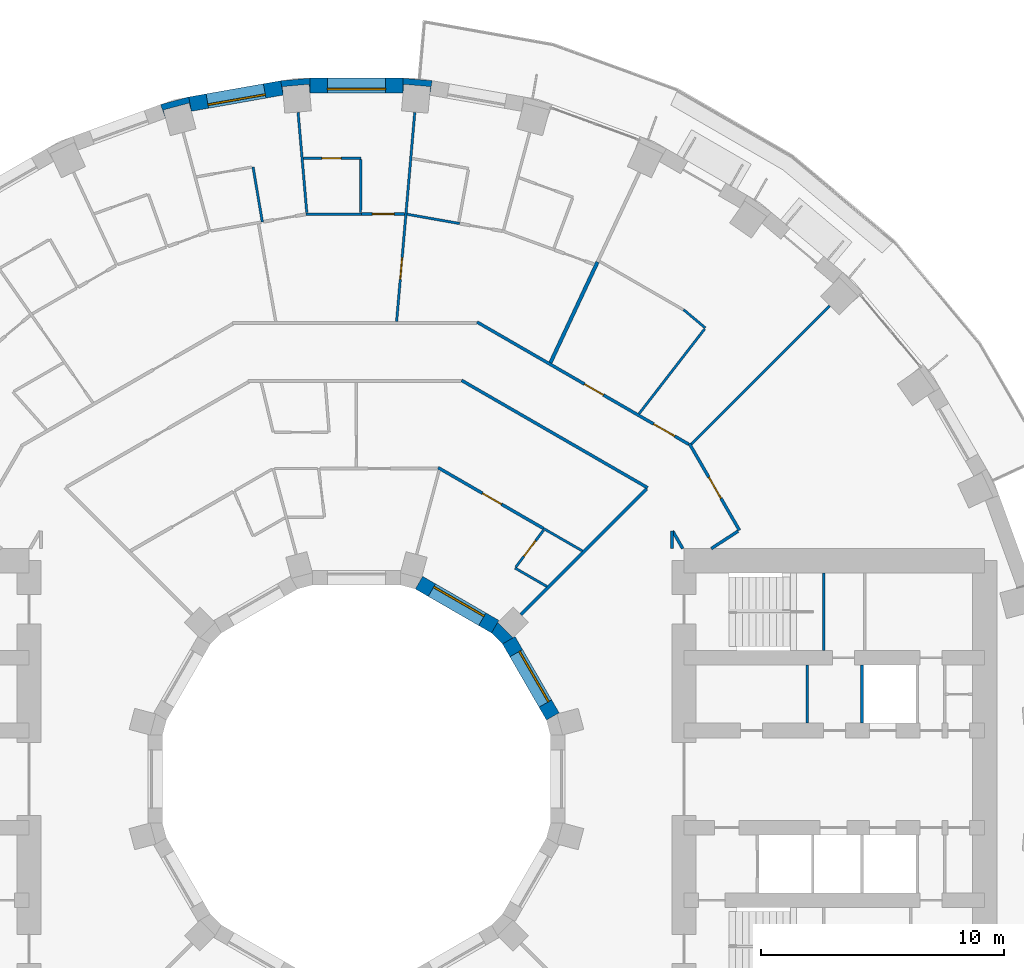
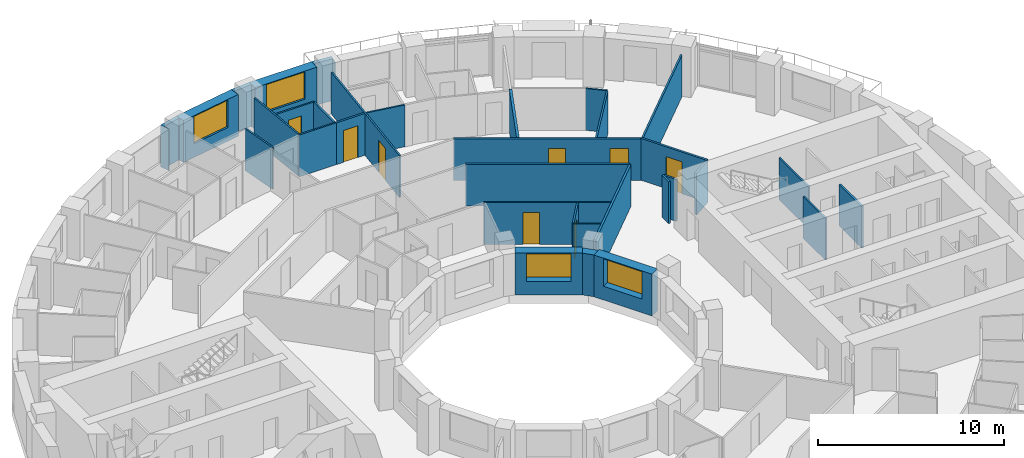
# One storey, part 12 of 15: 34 walls, 8 doors, 4 windows, 12 openings.
"""IFC4 building model written with IfcOpenShell, lengths in metres."""

from ifc_helpers import new_model, si_unit, direction, frame, frame_2d, origin, place, context, subcontext, project, spatial, polyline, rectangle, outline, extrude, material, layer, layer_set, type_object, element, fill, save


model = new_model("IFC4")

# Units and contexts
model_context = context("Model", 3, precision=1e-05, world=origin(), true_north=direction((0.0, 1.0)))
body_context = subcontext(model_context, "Body", "Model", "MODEL_VIEW")
ifc_project = project(units=[si_unit("LENGTHUNIT", "METRE"), si_unit("AREAUNIT", "SQUARE_METRE"), si_unit("VOLUMEUNIT", "CUBIC_METRE"), si_unit("PLANEANGLEUNIT", "RADIAN"), si_unit("MASSUNIT", "GRAM", prefix="KILO")], contexts=[model_context])

# Site, building, storey
site_placement = place(None, origin())
site = spatial("IfcSite", under=ifc_project, at=site_placement, CompositionType="ELEMENT")
building_placement = place(site_placement, origin())
building = spatial("IfcBuilding", under=site, at=building_placement, Name="Saqina Gate Tower", CompositionType="ELEMENT")
storey_placement = place(building_placement, frame((0.0, 0.0, 65.89990234375)))
storey = spatial("IfcBuildingStorey", under=building, at=storey_placement, Name="L18", CompositionType="ELEMENT", Elevation=65.89990234375)

# Walls
ifc_material_1 = material(Name="Brick masonry (red)", Category="masonry")
wall_type_1 = type_object("IfcWallType", Name="BRICK PIER COPING RED", PredefinedType="SOLIDWALL", material=ifc_material_1)
wall_1_placement = place(storey_placement, origin())
element("IfcWall", 1, at=wall_1_placement, inside=storey, type_object=wall_type_1, Name="Pier cap L18 column 9", PredefinedType="SOLIDWALL", context=body_context, shape_type="SweptSolid", body=[
    extrude(outline(polyline([(3.122802734375, 28.78466796875), (1.9228515625, 28.8896484375), (1.9228515625, 28.28955078125), (1.95361328125, 28.638671875), (3.04931640625, 28.54296875), (3.018798828125, 28.19384765625), (3.122802734375, 28.78466796875)])), origin(), (0.0, 0.0, 1.0), 2.75),
])
wall_2_placement = place(storey_placement, origin())
element("IfcWall", 2, at=wall_2_placement, inside=storey, type_object=wall_type_1, Name="Pier cap L18 column 10", PredefinedType="SOLIDWALL", context=body_context, shape_type="SweptSolid", body=[
    extrude(outline(polyline([(-1.9228515625, 28.8896484375), (-3.122802734375, 28.78466796875), (-3.018798828125, 28.19384765625), (-3.04931640625, 28.54296875), (-1.95361328125, 28.638671875), (-1.9228515625, 28.28955078125), (-1.9228515625, 28.8896484375)])), origin(), (0.0, 0.0, 1.0), 2.75),
])
wall_3_placement = place(storey_placement, origin())
element("IfcWall", 3, at=wall_3_placement, inside=storey, type_object=wall_type_1, Name="Pier cap L18 column 11", PredefinedType="SOLIDWALL", context=body_context, shape_type="SweptSolid", body=[
    extrude(outline(polyline([(-6.910400390625, 28.11669921875), (-8.073974609375, 27.80517578125), (-7.86865234375, 27.2412109375), (-7.95947265625, 27.57958984375), (-6.896728515625, 27.864501953125), (-6.80615234375, 27.52587890625), (-6.910400390625, 28.11669921875)])), origin(), (0.0, 0.0, 1.0), 2.75),
])
ifc_material_2 = material(Name="Gypsum board on steel studs", Category="steel")
ifc_layer_1 = layer(ifc_material_2, 0.10009765625)
ifc_layer_set_1 = layer_set([ifc_layer_1], Name="CORE PARTITION")
wall_type_2 = type_object("IfcWallType", Name="CORE PARTITION", PredefinedType="PARTITIONING", material=ifc_layer_set_1)
wall_4_placement = place(storey_placement, frame((18.582763671875, 2.300048828125, 0.0), z_axis=(0.0, 0.0, 1.0), x_axis=(0.0, 1.0, 0.0)))
element("IfcWall", 4, at=wall_4_placement, inside=storey, type_object=wall_type_2, Name="L18-CP-E01", PredefinedType="PARTITIONING", context=body_context, shape_type="SweptSolid", body=[
    extrude(rectangle(XDim=2.39990234375, YDim=0.10009765625, at=frame_2d((1.199951171875, 0.0))), origin(), (0.0, 0.0, 1.0), 2.75),
])

# Wall, opening, window
ifc_material_3 = material(Name="Brick masonry (red)", Category="masonry")
ifc_layer_2 = layer(ifc_material_3, 0.60009765625)
ifc_layer_set_2 = layer_set([ifc_layer_2], Name="FW-BRICK-RED")
wall_type_3 = type_object("IfcWallType", Name="FW-BRICK-RED", PredefinedType="SOLIDWALL", material=ifc_layer_set_2)
wall_5_placement = place(storey_placement, frame((1.9228515625, 28.589599609375, 0.0), z_axis=(0.0, 0.0, 1.0), x_axis=(-1.0, 0.0, 0.0)))
wall_5 = element("IfcWall", 5, at=wall_5_placement, inside=storey, type_object=wall_type_3, Name="Facade wall L18 facet 9", PredefinedType="SOLIDWALL", context=body_context, shape_type="SweptSolid", body=[
    extrude(rectangle(XDim=3.845703125, YDim=0.60009765625, at=frame_2d((1.9228515625, 0.0))), origin(), (0.0, 0.0, 1.0), 2.75),
])
opening_1_placement = place(wall_5_placement, frame((0.722900390625, 0.0, 0.89990234375)))
opening_1 = element("IfcOpeningElement", 6, at=opening_1_placement, cuts=wall_5, Name="Opening G05-W03", PredefinedType="OPENING", context=body_context, shape_type="SweptSolid", body=[
    extrude(rectangle(XDim=2.39990234375, YDim=1.800048828125, at=frame_2d((1.199951171875, 0.89990234375))), frame((0.0, 0.31201171875, 0.0), z_axis=(0.0, -1.0, 0.0), x_axis=(1.0, 0.0, 0.0)), (0.0, 0.0, 1.0), 0.6240234375),
])
ifc_material_4 = material(Name="Aluminium glazing", Category="aluminium")
window_type_1 = type_object("IfcWindowType", Name="WN-A", PartitioningType="SINGLE_PANEL", PredefinedType="WINDOW", material=ifc_material_4)
window_1_placement = place(opening_1_placement, origin())
window_1 = element("IfcWindow", 7, at=window_1_placement, inside=storey, type_object=window_type_1, Name="Window L18 facet 9", OverallHeight=1.800048828125, OverallWidth=2.39990234375, PartitioningType="SINGLE_PANEL", PredefinedType="WINDOW", context=body_context, shape_type="SweptSolid", body=[
    extrude(rectangle(XDim=2.39990234375, YDim=1.800048828125, at=frame_2d((1.199951171875, 0.89990234375))), frame((0.0, 0.179931640625, 0.0), z_axis=(0.0, -1.0, 0.0), x_axis=(1.0, 0.0, 0.0)), (0.0, 0.0, 1.0), 0.06005859375),
])
fill(opening_1, window_1)

wall_6_placement = place(storey_placement, frame((-3.07080078125, 28.4892578125, 0.0), z_axis=(0.0, 0.0, 1.0), x_axis=(-0.984800809218, -0.173687553279, 0.0)))
wall_6 = element("IfcWall", 8, at=wall_6_placement, inside=storey, type_object=wall_type_3, Name="Facade wall L18 facet 10", PredefinedType="SOLIDWALL", context=body_context, shape_type="SweptSolid", body=[
    extrude(rectangle(XDim=3.845703125, YDim=0.60009765625, at=frame_2d((1.9228515625, 0.0))), origin(), (0.0, 0.0, 1.0), 2.75),
])
opening_2_placement = place(wall_6_placement, frame((0.722900390625, 0.0, 0.89990234375)))
opening_2 = element("IfcOpeningElement", 9, at=opening_2_placement, cuts=wall_6, Name="Opening G05-W04", PredefinedType="OPENING", context=body_context, shape_type="SweptSolid", body=[
    extrude(rectangle(XDim=2.39990234375, YDim=1.800048828125, at=frame_2d((1.199951171875, 0.89990234375))), frame((0.0, 0.31201171875, 0.0), z_axis=(0.0, -1.0, 0.0), x_axis=(1.0, 0.0, 0.0)), (0.0, 0.0, 1.0), 0.6240234375),
])
window_2_placement = place(opening_2_placement, origin())
window_2 = element("IfcWindow", 10, at=window_2_placement, inside=storey, type_object=window_type_1, Name="Window L18 facet 10", OverallHeight=1.800048828125, OverallWidth=2.39990234375, PartitioningType="SINGLE_PANEL", PredefinedType="WINDOW", context=body_context, shape_type="SweptSolid", body=[
    extrude(rectangle(XDim=2.39990234375, YDim=1.800048828125, at=frame_2d((1.199951171875, 0.89990234375))), frame((0.0, 0.179931640625, 0.0), z_axis=(0.0, -1.0, 0.0), x_axis=(1.0, 0.0, 0.0)), (0.0, 0.0, 1.0), 0.06005859375),
])
fill(opening_2, window_2)

ifc_material_5 = material(Name="Glazed ceramic tile", Category="ceramic")
ifc_layer_3 = layer(ifc_material_5, 0.60009765625)
ifc_layer_set_3 = layer_set([ifc_layer_3], Name="IW-TILE")
wall_type_4 = type_object("IfcWallType", Name="IW-TILE", PredefinedType="SOLIDWALL", material=ifc_layer_set_3)
wall_7_placement = place(storey_placement, frame((8.09423828125, 2.580322265625, 0.0), z_axis=(0.0, 0.0, 1.0), x_axis=(-0.499992569217, 0.866029693906, 0.0)))
wall_7 = element("IfcWall", 11, at=wall_7_placement, inside=storey, type_object=wall_type_4, Name="Well wall L18 facet 1", PredefinedType="SOLIDWALL", context=body_context, shape_type="SweptSolid", body=[
    extrude(rectangle(XDim=3.625, YDim=0.60009765625, at=frame_2d((1.8125, 0.0))), origin(), (0.0, 0.0, 1.0), 2.75),
])
opening_3_placement = place(wall_7_placement, frame((0.612548828125, 0.0, 0.89990234375)))
opening_3 = element("IfcOpeningElement", 12, at=opening_3_placement, cuts=wall_7, Name="Opening G05-W23", PredefinedType="OPENING", context=body_context, shape_type="SweptSolid", body=[
    extrude(rectangle(XDim=2.39990234375, YDim=1.800048828125, at=frame_2d((1.199951171875, 0.89990234375))), frame((0.0, 0.31201171875, 0.0), z_axis=(0.0, -1.0, 0.0), x_axis=(1.0, 0.0, 0.0)), (0.0, 0.0, 1.0), 0.6240234375),
])
ifc_material_6 = material(Name="Aluminium glazing", Category="aluminium")
window_type_2 = type_object("IfcWindowType", Name="WN-W", PartitioningType="SINGLE_PANEL", PredefinedType="WINDOW", material=ifc_material_6)
window_3_placement = place(opening_3_placement, origin())
window_3 = element("IfcWindow", 13, at=window_3_placement, inside=storey, type_object=window_type_2, Name="Well window L18 facet 1", OverallHeight=1.800048828125, OverallWidth=2.39990234375, PartitioningType="SINGLE_PANEL", PredefinedType="WINDOW", context=body_context, shape_type="SweptSolid", body=[
    extrude(rectangle(XDim=2.39990234375, YDim=1.800048828125, at=frame_2d((1.199951171875, 0.89990234375))), frame((0.0, -0.119873046875, 0.0), z_axis=(0.0, -1.0, 0.0), x_axis=(1.0, 0.0, 0.0)), (0.0, 0.0, 1.0), 0.06005859375),
])
fill(opening_3, window_3)

wall_8_placement = place(storey_placement, frame((5.7197265625, 6.28173828125, 0.0), z_axis=(0.0, 0.0, 1.0), x_axis=(-0.866029693906, 0.499992569217, 0.0)))
wall_8 = element("IfcWall", 14, at=wall_8_placement, inside=storey, type_object=wall_type_4, Name="Well wall L18 facet 2", PredefinedType="SOLIDWALL", context=body_context, shape_type="SweptSolid", body=[
    extrude(rectangle(XDim=3.625, YDim=0.60009765625, at=frame_2d((1.8125, 0.0))), origin(), (0.0, 0.0, 1.0), 2.75),
])
opening_4_placement = place(wall_8_placement, frame((0.612548828125, 0.0, 0.89990234375)))
opening_4 = element("IfcOpeningElement", 15, at=opening_4_placement, cuts=wall_8, Name="Opening G05-W24", PredefinedType="OPENING", context=body_context, shape_type="SweptSolid", body=[
    extrude(rectangle(XDim=2.39990234375, YDim=1.800048828125, at=frame_2d((1.199951171875, 0.89990234375))), frame((0.0, 0.31201171875, 0.0), z_axis=(0.0, -1.0, 0.0), x_axis=(1.0, 0.0, 0.0)), (0.0, 0.0, 1.0), 0.6240234375),
])
window_4_placement = place(opening_4_placement, origin())
window_4 = element("IfcWindow", 16, at=window_4_placement, inside=storey, type_object=window_type_2, Name="Well window L18 facet 2", OverallHeight=1.800048828125, OverallWidth=2.39990234375, PartitioningType="SINGLE_PANEL", PredefinedType="WINDOW", context=body_context, shape_type="SweptSolid", body=[
    extrude(rectangle(XDim=2.39990234375, YDim=1.800048828125, at=frame_2d((1.199951171875, 0.89990234375))), frame((0.0, -0.119873046875, 0.0), z_axis=(0.0, -1.0, 0.0), x_axis=(1.0, 0.0, 0.0)), (0.0, 0.0, 1.0), 0.06005859375),
])
fill(opening_4, window_4)

# Walls
ifc_material_7 = material(Name="Gypsum board on steel studs, 100 mm", Category="steel")
ifc_layer_4 = layer(ifc_material_7, 0.10009765625)
ifc_layer_set_4 = layer_set([ifc_layer_4], Name="PARTITION 100")
wall_type_5 = type_object("IfcWallType", Name="PARTITION 100", PredefinedType="PARTITIONING", material=ifc_layer_set_4)
wall_9_placement = place(storey_placement, frame((-2.405029296875, 27.48486328125, 0.0), z_axis=(0.0, 0.0, 1.0), x_axis=(0.086512794622, -0.996250739707, 0.0)))
element("IfcWall", 17, at=wall_9_placement, inside=storey, type_object=wall_type_5, Name="PARTITION PW3-04", PredefinedType="PARTITIONING", context=body_context, shape_type="SweptSolid", body=[
    extrude(rectangle(XDim=4.1484375, YDim=0.10009765625, at=frame_2d((2.07421875, 0.0))), origin(), (0.0, 0.0, 1.0), 2.75),
])
wall_10_placement = place(storey_placement, frame((-4.261962890625, 25.23291015625, 0.0), z_axis=(0.0, 0.0, 1.0), x_axis=(0.166550297596, -0.986032960083, 0.0)))
element("IfcWall", 18, at=wall_10_placement, inside=storey, type_object=wall_type_5, Name="PARTITION PW3-08", PredefinedType="PARTITIONING", context=body_context, shape_type="SweptSolid", body=[
    extrude(rectangle(XDim=2.300048828125, YDim=0.10009765625, at=frame_2d((1.14990234375, 0.0))), origin(), (0.0, 0.0, 1.0), 2.75),
])
wall_11_placement = place(storey_placement, frame((13.48681640625, 19.348876953125, 0.0), z_axis=(0.0, 0.0, 1.0), x_axis=(0.765126879229, -0.643879537399, 0.0)))
element("IfcWall", 19, at=wall_11_placement, inside=storey, type_object=wall_type_5, Name="PARTITION PW3-35", PredefinedType="PARTITIONING", context=body_context, shape_type="SweptSolid", body=[
    extrude(rectangle(XDim=1.173828125, YDim=0.10009765625, at=frame_2d((0.5869140625, 0.0))), origin(), (0.0, 0.0, 1.0), 2.75),
])
wall_12_placement = place(storey_placement, frame((6.5390625, 8.696044921875, 0.0), z_axis=(0.0, 0.0, 1.0), x_axis=(0.86577516296, -0.500433179557, 0.0)))
element("IfcWall", 20, at=wall_12_placement, inside=storey, type_object=wall_type_5, Name="PARTITION PW3-45", PredefinedType="PARTITIONING", context=body_context, shape_type="SweptSolid", body=[
    extrude(rectangle(XDim=1.516357421875, YDim=0.10009765625, at=frame_2d((0.75830078125, 0.0))), origin(), (0.0, 0.0, 1.0), 2.75),
])
wall_13_placement = place(storey_placement, frame((7.706787109375, 10.3310546875, 0.0), z_axis=(0.0, 0.0, 1.0), x_axis=(0.865872660715, -0.500264465484, 0.0)))
element("IfcWall", 21, at=wall_13_placement, inside=storey, type_object=wall_type_5, Name="PARTITION PW3-46", PredefinedType="PARTITIONING", context=body_context, shape_type="SweptSolid", body=[
    extrude(rectangle(XDim=1.8583984375, YDim=0.10009765625, at=frame_2d((0.92919921875, 0.0))), origin(), (0.0, 0.0, 1.0), 2.75),
])
wall_14_placement = place(storey_placement, frame((2.087158203125, 23.28125, 0.0), z_axis=(0.0, 0.0, 1.0), x_axis=(0.984790246942, -0.173747430277, 0.0)))
element("IfcWall", 22, at=wall_14_placement, inside=storey, type_object=wall_type_5, Name="PARTITION PW3-56", PredefinedType="PARTITIONING", context=body_context, shape_type="SweptSolid", body=[
    extrude(rectangle(XDim=2.20458984375, YDim=0.10009765625, at=frame_2d((1.102294921875, 0.0))), origin(), (0.0, 0.0, 1.0), 2.75),
])
wall_15_placement = place(storey_placement, frame((-2.0888671875, 23.2900390625, 0.0), z_axis=(0.0, 0.0, 1.0), x_axis=(1.0, 0.0, 0.0)))
element("IfcWall", 23, at=wall_15_placement, inside=storey, type_object=wall_type_5, Name="PARTITION PW3-65", PredefinedType="PARTITIONING", context=body_context, shape_type="SweptSolid", body=[
    extrude(rectangle(XDim=2.306884765625, YDim=0.10009765625, at=frame_2d((1.1533203125, 0.0))), origin(), (0.0, 0.0, 1.0), 2.75),
])

# Wall, opening, door
wall_16_placement = place(storey_placement, frame((-2.18896484375, 25.590087890625, 0.0), z_axis=(0.0, 0.0, 1.0), x_axis=(1.0, 0.0, 0.0)))
wall_16 = element("IfcWall", 24, at=wall_16_placement, inside=storey, type_object=wall_type_5, Name="PARTITION PW3-66", PredefinedType="PARTITIONING", context=body_context, shape_type="SweptSolid", body=[
    extrude(rectangle(XDim=2.373046875, YDim=0.10009765625, at=frame_2d((1.1865234375, 0.0))), origin(), (0.0, 0.0, 1.0), 2.75),
])
opening_5_placement = place(wall_16_placement, frame((0.761474609375, 0.0, 0.0)))
opening_5 = element("IfcOpeningElement", 25, at=opening_5_placement, cuts=wall_16, Name="Opening G05-D14", PredefinedType="OPENING", context=body_context, shape_type="SweptSolid", body=[
    extrude(rectangle(XDim=0.800048828125, YDim=2.10009765625, at=frame_2d((0.39990234375, 1.050048828125))), frame((0.0, 0.06201171875, 0.0), z_axis=(0.0, -1.0, 0.0), x_axis=(1.0, 0.0, 0.0)), (0.0, 0.0, 1.0), 0.1240234375),
])
ifc_material_8 = material(Name="Timber door leaf, 800 mm", Category="wood")
door_type_1 = type_object("IfcDoorType", Name="DOOR 800 TIMBER", OperationType="SINGLE_SWING_LEFT", PredefinedType="DOOR", material=ifc_material_8)
door_1_placement = place(opening_5_placement, origin())
door_1 = element("IfcDoor", 26, at=door_1_placement, inside=storey, type_object=door_type_1, Name="DOOR G05-D14", OperationType="SINGLE_SWING_LEFT", OverallHeight=2.10009765625, OverallWidth=0.800048828125, PredefinedType="DOOR", context=body_context, shape_type="SweptSolid", body=[
    extrude(rectangle(XDim=0.800048828125, YDim=2.10009765625, at=frame_2d((0.39990234375, 1.050048828125))), frame((0.0, 0.02490234375, 0.0), z_axis=(0.0, -1.0, 0.0), x_axis=(1.0, 0.0, 0.0)), (0.0, 0.0, 1.0), 0.050048828125),
])
fill(opening_5, door_1)

# Walls
wall_17_placement = place(storey_placement, frame((13.80712890625, 13.80712890625, 0.0), z_axis=(0.0, 0.0, 1.0), x_axis=(0.707106781187, 0.707106781187, 0.0)))
element("IfcWall", 27, at=wall_17_placement, inside=storey, type_object=wall_type_5, Name="PARTITION PW3-88", PredefinedType="PARTITIONING", context=body_context, shape_type="SweptSolid", body=[
    extrude(rectangle(XDim=8.063720703125, YDim=0.10009765625, at=frame_2d((4.03173828125, 0.0))), origin(), (0.0, 0.0, 1.0), 2.75),
])
wall_18_placement = place(storey_placement, frame((11.648193359375, 15.055419921875, 0.0), z_axis=(0.0, 0.0, 1.0), x_axis=(0.611909290422, 0.790927948865, 0.0)))
element("IfcWall", 28, at=wall_18_placement, inside=storey, type_object=wall_type_5, Name="PARTITION PW3-93", PredefinedType="PARTITIONING", context=body_context, shape_type="SweptSolid", body=[
    extrude(rectangle(XDim=4.422607421875, YDim=0.10009765625, at=frame_2d((2.21142578125, 0.0))), origin(), (0.0, 0.0, 1.0), 2.75),
])

# Wall, opening, door
wall_19_placement = place(storey_placement, frame((6.569091796875, 8.73583984375, 0.0), z_axis=(0.0, 0.0, 1.0), x_axis=(0.601046793523, 0.799213833711, 0.0)))
wall_19 = element("IfcWall", 29, at=wall_19_placement, inside=storey, type_object=wall_type_5, Name="PARTITION PW3-94", PredefinedType="PARTITIONING", context=body_context, shape_type="SweptSolid", body=[
    extrude(rectangle(XDim=1.902099609375, YDim=0.10009765625, at=frame_2d((0.951171875, 0.0))), origin(), (0.0, 0.0, 1.0), 2.75),
])
opening_6_placement = place(wall_19_placement, frame((0.557373046875, 0.0, 0.0)))
opening_6 = element("IfcOpeningElement", 30, at=opening_6_placement, cuts=wall_19, Name="Opening G05-D03", PredefinedType="OPENING", context=body_context, shape_type="SweptSolid", body=[
    extrude(rectangle(XDim=0.800048828125, YDim=2.10009765625, at=frame_2d((0.39990234375, 1.050048828125))), frame((0.0, 0.06201171875, 0.0), z_axis=(0.0, -1.0, 0.0), x_axis=(1.0, 0.0, 0.0)), (0.0, 0.0, 1.0), 0.1240234375),
])
door_2_placement = place(opening_6_placement, origin())
door_2 = element("IfcDoor", 31, at=door_2_placement, inside=storey, type_object=door_type_1, Name="DOOR G05-D03", OperationType="SINGLE_SWING_RIGHT", OverallHeight=2.10009765625, OverallWidth=0.800048828125, PredefinedType="DOOR", context=body_context, shape_type="SweptSolid", body=[
    extrude(rectangle(XDim=0.800048828125, YDim=2.10009765625, at=frame_2d((0.39990234375, 1.050048828125))), frame((0.0, 0.02490234375, 0.0), z_axis=(0.0, -1.0, 0.0), x_axis=(1.0, 0.0, 0.0)), (0.0, 0.0, 1.0), 0.050048828125),
])
fill(opening_6, door_2)

wall_20_placement = place(storey_placement, frame((1.656494140625, 18.86181640625, 0.0), z_axis=(0.0, 0.0, 1.0), x_axis=(0.086481121159, 0.996253489672, 0.0)))
wall_20 = element("IfcWall", 32, at=wall_20_placement, inside=storey, type_object=wall_type_5, Name="PARTITION PW3-111", PredefinedType="PARTITIONING", context=body_context, shape_type="SweptSolid", body=[
    extrude(rectangle(XDim=8.655517578125, YDim=0.10009765625, at=frame_2d((4.32763671875, 0.0))), origin(), (0.0, 0.0, 1.0), 2.75),
])
opening_7_placement = place(wall_20_placement, frame((1.7412109375, 0.0, 0.0)))
opening_7 = element("IfcOpeningElement", 33, at=opening_7_placement, cuts=wall_20, Name="Opening G05-D10", PredefinedType="OPENING", context=body_context, shape_type="SweptSolid", body=[
    extrude(rectangle(XDim=0.89990234375, YDim=2.10009765625, at=frame_2d((0.449951171875, 1.050048828125))), frame((0.0, 0.06201171875, 0.0), z_axis=(0.0, -1.0, 0.0), x_axis=(1.0, 0.0, 0.0)), (0.0, 0.0, 1.0), 0.1240234375),
])
ifc_material_9 = material(Name="Timber door leaf, 900 mm", Category="wood")
door_type_2 = type_object("IfcDoorType", Name="DOOR 900 TIMBER", OperationType="SINGLE_SWING_LEFT", PredefinedType="DOOR", material=ifc_material_9)
door_3_placement = place(opening_7_placement, frame((0.89990234375, 0.0, 0.0), z_axis=(0.0, 0.0, 1.0), x_axis=(-1.0, 0.0, 0.0)))
door_3 = element("IfcDoor", 34, at=door_3_placement, inside=storey, type_object=door_type_2, Name="DOOR G05-D10", OperationType="SINGLE_SWING_RIGHT", OverallHeight=2.10009765625, OverallWidth=0.89990234375, PredefinedType="DOOR", context=body_context, shape_type="SweptSolid", body=[
    extrude(rectangle(XDim=0.89990234375, YDim=2.10009765625, at=frame_2d((0.449951171875, 1.050048828125))), frame((0.0, 0.02490234375, 0.0), z_axis=(0.0, -1.0, 0.0), x_axis=(1.0, 0.0, 0.0)), (0.0, 0.0, 1.0), 0.050048828125),
])
fill(opening_7, door_3)

# Walls
wall_21_placement = place(storey_placement, frame((0.16845703125, 23.3525390625, 0.0), z_axis=(0.0, 0.0, 1.0), x_axis=(0.006919477202, 0.999976060131, 0.0)))
element("IfcWall", 35, at=wall_21_placement, inside=storey, type_object=wall_type_5, Name="PARTITION PW3-113", PredefinedType="PARTITIONING", context=body_context, shape_type="SweptSolid", body=[
    extrude(rectangle(XDim=2.1875, YDim=0.10009765625, at=frame_2d((1.09375, 0.0))), origin(), (0.0, 0.0, 1.0), 2.75),
])
ifc_material_10 = material(Name="Gypsum board on steel studs, 125 mm, fire rated", Category="steel")
ifc_layer_5 = layer(ifc_material_10, 0.125)
ifc_layer_set_5 = layer_set([ifc_layer_5], Name="PARTITION EI 30 125")
wall_type_6 = type_object("IfcWallType", Name="PARTITION EI 30 125", PredefinedType="PARTITIONING", material=ifc_layer_set_5)
wall_22_placement = place(storey_placement, frame((13.034912109375, 10.222412109375, 0.0), z_axis=(0.0, 0.0, 1.0), x_axis=(0.49991670217, -0.866073490468, 0.0)))
element("IfcWall", 36, at=wall_22_placement, inside=storey, type_object=wall_type_6, Name="PARTITION PW1-03", PredefinedType="PARTITIONING", context=body_context, shape_type="SweptSolid", body=[
    extrude(rectangle(XDim=0.834228515625, YDim=0.125, at=frame_2d((0.4169921875, 0.0))), origin(), (0.0, 0.0, 1.0), 2.75),
])

# Wall, opening, door
wall_23_placement = place(storey_placement, frame((13.726806640625, 13.825439453125, 0.0), z_axis=(0.0, 0.0, 1.0), x_axis=(0.49993934159, -0.866060422101, 0.0)))
wall_23 = element("IfcWall", 37, at=wall_23_placement, inside=storey, type_object=wall_type_6, Name="PARTITION PW1-04", PredefinedType="PARTITIONING", context=body_context, shape_type="SweptSolid", body=[
    extrude(rectangle(XDim=4.125, YDim=0.125, at=frame_2d((2.0625, 0.0))), origin(), (0.0, 0.0, 1.0), 2.75),
])
opening_8_placement = place(wall_23_placement, frame((1.5986328125, 0.0, 0.0)))
opening_8 = element("IfcOpeningElement", 38, at=opening_8_placement, cuts=wall_23, Name="Opening G05-D01", PredefinedType="OPENING", context=body_context, shape_type="SweptSolid", body=[
    extrude(rectangle(XDim=1.0, YDim=2.10009765625, at=frame_2d((0.5, 1.050048828125))), frame((0.0, 0.074462890625, 0.0), z_axis=(0.0, -1.0, 0.0), x_axis=(1.0, 0.0, 0.0)), (0.0, 0.0, 1.0), 0.14892578125),
])
ifc_material_11 = material(Name="Fire door leaf EI 30, 1000 mm")
door_type_3 = type_object("IfcDoorType", Name="DOOR 1000 EI 30", OperationType="SINGLE_SWING_LEFT", PredefinedType="DOOR", material=ifc_material_11)
door_4_placement = place(opening_8_placement, frame((1.0, 0.0, 0.0), z_axis=(0.0, 0.0, 1.0), x_axis=(-1.0, 0.0, 0.0)))
door_4 = element("IfcDoor", 39, at=door_4_placement, inside=storey, type_object=door_type_3, Name="DOOR G05-D01", OperationType="SINGLE_SWING_LEFT", OverallHeight=2.10009765625, OverallWidth=1.0, PredefinedType="DOOR", context=body_context, shape_type="SweptSolid", body=[
    extrude(rectangle(XDim=1.0, YDim=2.10009765625, at=frame_2d((0.5, 1.050048828125))), frame((0.0, 0.02490234375, 0.0), z_axis=(0.0, -1.0, 0.0), x_axis=(1.0, 0.0, 0.0)), (0.0, 0.0, 1.0), 0.050048828125),
])
fill(opening_8, door_4)

wall_24_placement = place(storey_placement, frame((3.367431640625, 12.836181640625, 0.0), z_axis=(0.0, 0.0, 1.0), x_axis=(0.866042781899, -0.499969899014, 0.0)))
wall_24 = element("IfcWall", 40, at=wall_24_placement, inside=storey, type_object=wall_type_6, Name="PARTITION PW1-11", PredefinedType="PARTITIONING", context=body_context, shape_type="SweptSolid", body=[
    extrude(rectangle(XDim=5.010498046875, YDim=0.125, at=frame_2d((2.50537109375, 0.0))), origin(), (0.0, 0.0, 1.0), 2.75),
])
opening_9_placement = place(wall_24_placement, frame((2.1162109375, 0.0, 0.0)))
opening_9 = element("IfcOpeningElement", 41, at=opening_9_placement, cuts=wall_24, Name="Opening G05-D05", PredefinedType="OPENING", context=body_context, shape_type="SweptSolid", body=[
    extrude(rectangle(XDim=0.89990234375, YDim=2.10009765625, at=frame_2d((0.449951171875, 1.050048828125))), frame((0.0, 0.074462890625, 0.0), z_axis=(0.0, -1.0, 0.0), x_axis=(1.0, 0.0, 0.0)), (0.0, 0.0, 1.0), 0.14892578125),
])
ifc_material_12 = material(Name="Fire door leaf EI 30, 900 mm")
door_type_4 = type_object("IfcDoorType", Name="DOOR 900 EI 30", OperationType="SINGLE_SWING_LEFT", PredefinedType="DOOR", material=ifc_material_12)
door_5_placement = place(opening_9_placement, origin())
door_5 = element("IfcDoor", 42, at=door_5_placement, inside=storey, type_object=door_type_4, Name="DOOR G05-D05", OperationType="SINGLE_SWING_RIGHT", OverallHeight=2.10009765625, OverallWidth=0.89990234375, PredefinedType="DOOR", context=body_context, shape_type="SweptSolid", body=[
    extrude(rectangle(XDim=0.89990234375, YDim=2.10009765625, at=frame_2d((0.449951171875, 1.050048828125))), frame((0.0, 0.02490234375, 0.0), z_axis=(0.0, -1.0, 0.0), x_axis=(1.0, 0.0, 0.0)), (0.0, 0.0, 1.0), 0.050048828125),
])
fill(opening_9, door_5)

# Wall
wall_25_placement = place(storey_placement, frame((4.33154296875, 16.43603515625, 0.0), z_axis=(0.0, 0.0, 1.0), x_axis=(0.866073188118, -0.499917225971, 0.0)))
element("IfcWall", 43, at=wall_25_placement, inside=storey, type_object=wall_type_6, Name="PARTITION PW1-12", PredefinedType="PARTITIONING", context=body_context, shape_type="SweptSolid", body=[
    extrude(rectangle(XDim=8.861328125, YDim=0.125, at=frame_2d((4.4306640625, 0.0))), origin(), (0.0, 0.0, 1.0), 2.75),
])

# Wall, openings, doors
wall_26_placement = place(storey_placement, frame((4.974609375, 18.836181640625, 0.0), z_axis=(0.0, 0.0, 1.0), x_axis=(0.866059817553, -0.499940388867, 0.0)))
wall_26 = element("IfcWall", 44, at=wall_26_placement, inside=storey, type_object=wall_type_6, Name="PARTITION PW1-13", PredefinedType="PARTITIONING", context=body_context, shape_type="SweptSolid", body=[
    extrude(rectangle(XDim=10.085205078125, YDim=0.125, at=frame_2d((5.04248046875, 0.0))), origin(), (0.0, 0.0, 1.0), 2.75),
])
opening_10_placement = place(wall_26_placement, frame((8.404541015625, 0.0, 0.0)))
opening_10 = element("IfcOpeningElement", 45, at=opening_10_placement, cuts=wall_26, Name="Opening G05-D02", PredefinedType="OPENING", context=body_context, shape_type="SweptSolid", body=[
    extrude(rectangle(XDim=1.0, YDim=2.10009765625, at=frame_2d((0.5, 1.050048828125))), frame((0.0, 0.074462890625, 0.0), z_axis=(0.0, -1.0, 0.0), x_axis=(1.0, 0.0, 0.0)), (0.0, 0.0, 1.0), 0.14892578125),
])
opening_11_placement = place(wall_26_placement, frame((5.113525390625, 0.0, 0.0)))
opening_11 = element("IfcOpeningElement", 46, at=opening_11_placement, cuts=wall_26, Name="Opening G05-D04", PredefinedType="OPENING", context=body_context, shape_type="SweptSolid", body=[
    extrude(rectangle(XDim=0.89990234375, YDim=2.10009765625, at=frame_2d((0.449951171875, 1.050048828125))), frame((0.0, 0.074462890625, 0.0), z_axis=(0.0, -1.0, 0.0), x_axis=(1.0, 0.0, 0.0)), (0.0, 0.0, 1.0), 0.14892578125),
])
door_6_placement = place(opening_10_placement, origin())
door_6 = element("IfcDoor", 47, at=door_6_placement, inside=storey, type_object=door_type_3, Name="DOOR G05-D02", OperationType="SINGLE_SWING_LEFT", OverallHeight=2.10009765625, OverallWidth=1.0, PredefinedType="DOOR", context=body_context, shape_type="SweptSolid", body=[
    extrude(rectangle(XDim=1.0, YDim=2.10009765625, at=frame_2d((0.5, 1.050048828125))), frame((0.0, 0.02490234375, 0.0), z_axis=(0.0, -1.0, 0.0), x_axis=(1.0, 0.0, 0.0)), (0.0, 0.0, 1.0), 0.050048828125),
])
fill(opening_10, door_6)
door_7_placement = place(opening_11_placement, origin())
door_7 = element("IfcDoor", 48, at=door_7_placement, inside=storey, type_object=door_type_4, Name="DOOR G05-D04", OperationType="SINGLE_SWING_RIGHT", OverallHeight=2.10009765625, OverallWidth=0.89990234375, PredefinedType="DOOR", context=body_context, shape_type="SweptSolid", body=[
    extrude(rectangle(XDim=0.89990234375, YDim=2.10009765625, at=frame_2d((0.449951171875, 1.050048828125))), frame((0.0, 0.02490234375, 0.0), z_axis=(0.0, -1.0, 0.0), x_axis=(1.0, 0.0, 0.0)), (0.0, 0.0, 1.0), 0.050048828125),
])
fill(opening_11, door_7)

# Wall, opening, door
wall_27_placement = place(storey_placement, frame((0.218017578125, 23.2900390625, 0.0), z_axis=(0.0, 0.0, 1.0), x_axis=(1.0, 0.0, 0.0)))
wall_27 = element("IfcWall", 49, at=wall_27_placement, inside=storey, type_object=wall_type_6, Name="PARTITION PW1-26", PredefinedType="PARTITIONING", context=body_context, shape_type="SweptSolid", body=[
    extrude(rectangle(XDim=1.77001953125, YDim=0.125, at=frame_2d((0.885009765625, 0.0))), origin(), (0.0, 0.0, 1.0), 2.75),
])
opening_12_placement = place(wall_27_placement, frame((0.43505859375, 0.0, 0.0)))
opening_12 = element("IfcOpeningElement", 50, at=opening_12_placement, cuts=wall_27, Name="Opening G05-D12", PredefinedType="OPENING", context=body_context, shape_type="SweptSolid", body=[
    extrude(rectangle(XDim=0.89990234375, YDim=2.10009765625, at=frame_2d((0.449951171875, 1.050048828125))), frame((0.0, 0.074462890625, 0.0), z_axis=(0.0, -1.0, 0.0), x_axis=(1.0, 0.0, 0.0)), (0.0, 0.0, 1.0), 0.14892578125),
])
door_8_placement = place(opening_12_placement, frame((0.89990234375, 0.0, 0.0), z_axis=(0.0, 0.0, 1.0), x_axis=(-1.0, 0.0, 0.0)))
door_8 = element("IfcDoor", 51, at=door_8_placement, inside=storey, type_object=door_type_4, Name="DOOR G05-D12", OperationType="SINGLE_SWING_LEFT", OverallHeight=2.10009765625, OverallWidth=0.89990234375, PredefinedType="DOOR", context=body_context, shape_type="SweptSolid", body=[
    extrude(rectangle(XDim=0.89990234375, YDim=2.10009765625, at=frame_2d((0.449951171875, 1.050048828125))), frame((0.0, 0.02490234375, 0.0), z_axis=(0.0, -1.0, 0.0), x_axis=(1.0, 0.0, 0.0)), (0.0, 0.0, 1.0), 0.050048828125),
])
fill(opening_12, door_8)

# Walls
wall_28_placement = place(storey_placement, frame((14.62890625, 9.5, 0.0), z_axis=(0.0, 0.0, 1.0), x_axis=(0.838785586694, 0.544461880717, 0.0)))
element("IfcWall", 52, at=wall_28_placement, inside=storey, type_object=wall_type_6, Name="PARTITION PW1-39", PredefinedType="PARTITIONING", context=body_context, shape_type="SweptSolid", body=[
    extrude(rectangle(XDim=1.320556640625, YDim=0.125, at=frame_2d((0.66015625, 0.0))), origin(), (0.0, 0.0, 1.0), 2.75),
])
wall_29_placement = place(storey_placement, frame((6.78271484375, 6.78271484375, 0.0), z_axis=(0.0, 0.0, 1.0), x_axis=(0.707106781187, 0.707106781187, 0.0)))
element("IfcWall", 53, at=wall_29_placement, inside=storey, type_object=wall_type_6, Name="PARTITION PW1-43", PredefinedType="PARTITIONING", context=body_context, shape_type="SweptSolid", body=[
    extrude(rectangle(XDim=7.324462890625, YDim=0.125, at=frame_2d((3.662109375, 0.0))), origin(), (0.0, 0.0, 1.0), 2.75),
])
wall_30_placement = place(storey_placement, frame((13.0, 9.5, 0.0), z_axis=(0.0, 0.0, 1.0), x_axis=(0.0, 1.0, 0.0)))
element("IfcWall", 54, at=wall_30_placement, inside=storey, type_object=wall_type_6, Name="PARTITION PW1-54", PredefinedType="PARTITIONING", context=body_context, shape_type="SweptSolid", body=[
    extrude(rectangle(XDim=0.720458984375, YDim=0.125, at=frame_2d((0.3603515625, 0.0))), origin(), (0.0, 0.0, 1.0), 2.75),
])
ifc_material_13 = material(Name="Gypsum board on steel studs, 150 mm, fire rated", Category="steel")
ifc_layer_6 = layer(ifc_material_13, 0.14990234375)
ifc_layer_set_6 = layer_set([ifc_layer_6], Name="PARTITION EI 60 150")
wall_type_7 = type_object("IfcWallType", Name="PARTITION EI 60 150", PredefinedType="PARTITIONING", material=ifc_layer_set_6)
wall_31_placement = place(storey_placement, frame((7.998291015625, 17.16259765625, 0.0), z_axis=(0.0, 0.0, 1.0), x_axis=(0.423462967361, 0.905913414888, 0.0)))
element("IfcWall", 55, at=wall_31_placement, inside=storey, type_object=wall_type_7, Name="PARTITION PW2-02", PredefinedType="PARTITIONING", context=body_context, shape_type="SweptSolid", body=[
    extrude(rectangle(XDim=4.581787109375, YDim=0.14990234375, at=frame_2d((2.291015625, 0.0))), origin(), (0.0, 0.0, 1.0), 2.75),
])
ifc_material_14 = material(Name="Autoclaved aerated concrete block", Category="concrete")
ifc_layer_7 = layer(ifc_material_14, 0.1201171875)
ifc_layer_set_7 = layer_set([ifc_layer_7], Name="SHAFT PARTITION")
wall_type_8 = type_object("IfcWallType", Name="SHAFT PARTITION", PredefinedType="PARTITIONING", material=ifc_layer_set_7)
wall_32_placement = place(storey_placement, frame((20.840087890625, 2.300048828125, 0.0), z_axis=(0.0, 0.0, 1.0), x_axis=(0.0, 1.0, 0.0)))
element("IfcWall", 56, at=wall_32_placement, inside=storey, type_object=wall_type_8, Name="L18-CP-E02", PredefinedType="PARTITIONING", context=body_context, shape_type="SweptSolid", body=[
    extrude(rectangle(XDim=2.39990234375, YDim=0.1201171875, at=frame_2d((1.199951171875, 0.0))), origin(), (0.0, 0.0, 1.0), 2.75),
])
ifc_material_15 = material(Name="Autoclaved aerated concrete block", Category="concrete")
ifc_layer_8 = layer(ifc_material_15, 0.10009765625)
ifc_layer_set_8 = layer_set([ifc_layer_8], Name="STAIR ENCLOSURE WALL")
wall_type_9 = type_object("IfcWallType", Name="STAIR ENCLOSURE WALL", PredefinedType="PARTITIONING", material=ifc_layer_set_8)
wall_33_placement = place(storey_placement, frame((19.27001953125, 5.300048828125, 0.0), z_axis=(0.0, 0.0, 1.0), x_axis=(0.0, 1.0, 0.0)))
element("IfcWall", 57, at=wall_33_placement, inside=storey, type_object=wall_type_9, Name="L18-CP-E11", PredefinedType="PARTITIONING", context=body_context, shape_type="SweptSolid", body=[
    extrude(rectangle(XDim=3.199951171875, YDim=0.10009765625, at=frame_2d((1.60009765625, 0.0))), origin(), (0.0, 0.0, 1.0), 2.75),
])
ifc_material_16 = material(Name="Glazed ceramic tile", Category="ceramic")
wall_type_10 = type_object("IfcWallType", Name="TILE PIER COPING", PredefinedType="SOLIDWALL", material=ifc_material_16)
wall_34_placement = place(storey_placement, origin())
element("IfcWall", 58, at=wall_34_placement, inside=storey, type_object=wall_type_10, Name="Well pier cap L18 column 2", PredefinedType="SOLIDWALL", context=body_context, shape_type="SweptSolid", body=[
    extrude(outline(polyline([(5.821044921875, 6.45751953125), (5.569580078125, 6.02197265625), (6.02197265625, 5.569580078125), (6.45751953125, 5.821044921875), (5.821044921875, 6.45751953125)])), origin(), (0.0, 0.0, 1.0), 2.75),
])

save(model, "model.ifc")
